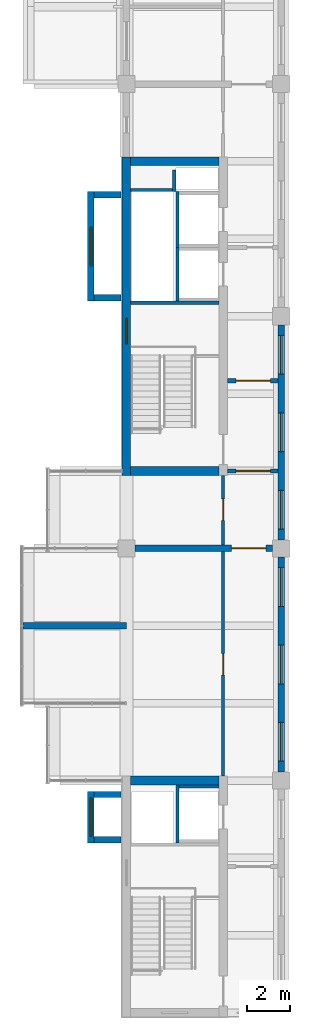
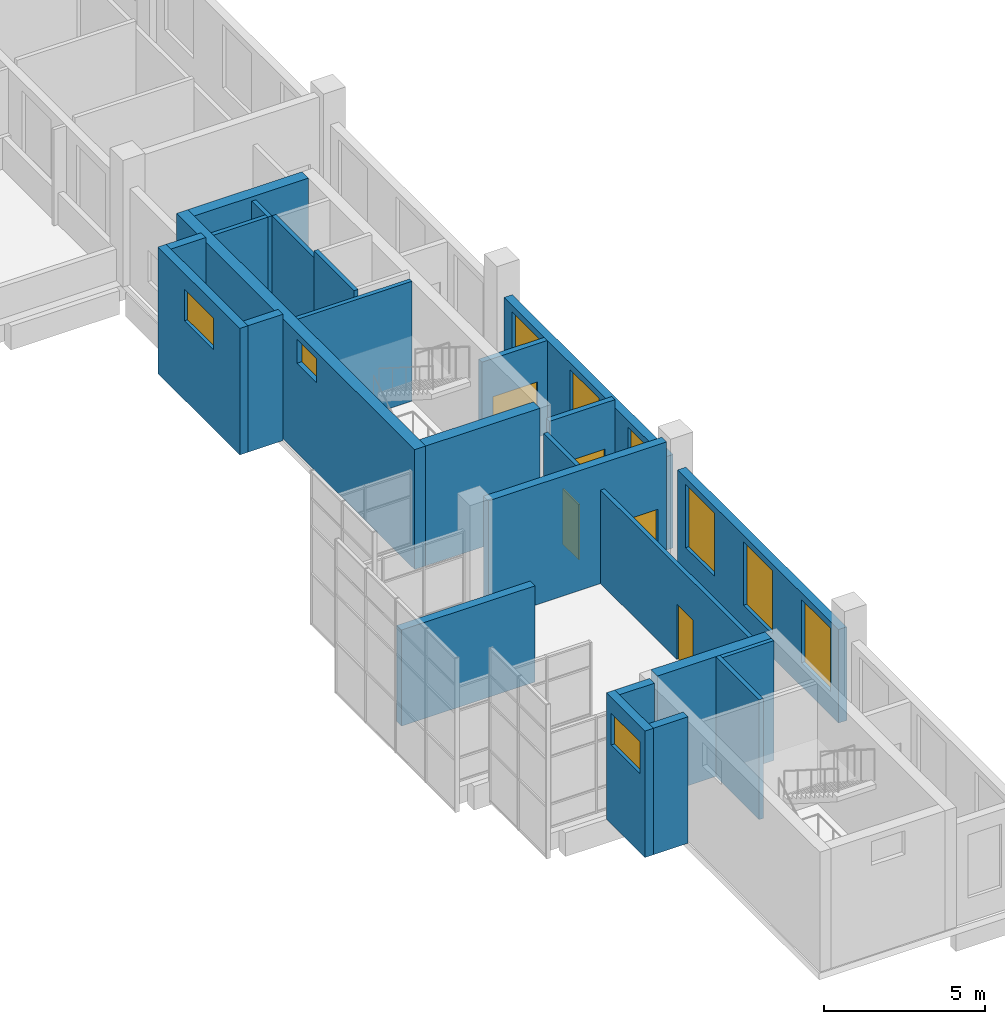
# One storey, part 6 of 9: 25 walls, 9 windows, 5 doors, 14 openings.
"""IFC4 building model written with IfcOpenShell, lengths in metres."""

from ifc_helpers import new_model, si_unit, direction, frame, frame_2d, origin, place, context, subcontext, project, spatial, rectangle, extrude, material, layer, layer_set, type_object, element, fill, save


model = new_model("IFC4")

# Units and contexts
model_context = context("Model", 3, precision=1e-05, world=origin(), true_north=direction((0.0, 1.0)))
body_context = subcontext(model_context, "Body", "Model", "MODEL_VIEW")
ifc_project = project(units=[si_unit("LENGTHUNIT", "METRE"), si_unit("AREAUNIT", "SQUARE_METRE"), si_unit("VOLUMEUNIT", "CUBIC_METRE"), si_unit("PLANEANGLEUNIT", "RADIAN"), si_unit("MASSUNIT", "GRAM", prefix="KILO")], contexts=[model_context])

# Site, building, storey
site_placement = place(None, origin())
site = spatial("IfcSite", under=ifc_project, at=site_placement, CompositionType="ELEMENT")
building_placement = place(site_placement, origin())
building = spatial("IfcBuilding", under=site, at=building_placement, Name="Basin Gate Institute", CompositionType="ELEMENT")
storey_placement = place(building_placement, frame((0.0, 0.0, 70.199951171875)))
storey = spatial("IfcBuildingStorey", under=building, at=storey_placement, Name="L14", CompositionType="ELEMENT", Elevation=70.199951171875)

# Wall
ifc_material_1 = material(Name="Aluminium-faced insulated panel wall", Category="aluminium")
ifc_layer_1 = layer(ifc_material_1, 0.300048828125)
ifc_layer_set_1 = layer_set([ifc_layer_1], Name="Capsule side wall EW6 EI 60")
wall_type_1 = type_object("IfcWallType", Name="Capsule side wall EW6 EI 60", PredefinedType="STANDARD", material=ifc_layer_set_1)
wall_1_placement = place(storey_placement, frame((56.39990234375, 53.10009765625, 0.0), z_axis=(0.0, 0.0, 1.0), x_axis=(1.0, 0.0, 0.0)))
element("IfcWall", 1, at=wall_1_placement, inside=storey, type_object=wall_type_1, material=ifc_layer_set_1, Name="Capsule side wall W wing L14 line 6", PredefinedType="STANDARD", context=body_context, shape_type="SweptSolid", body=[
    extrude(rectangle(XDim=4.800048828125, YDim=0.300048828125, at=frame_2d((2.39990234375, 0.0))), origin(), (0.0, 0.0, 1.0), 3.650146484375),
])

# Wall, opening, door
ifc_material_2 = material(Name="Fire-rated masonry", Category="masonry")
ifc_layer_2 = layer(ifc_material_2, 0.199951171875)
ifc_layer_set_2 = layer_set([ifc_layer_2], Name="Enclosure wall PW2 200 EI 60")
wall_type_2 = type_object("IfcWallType", Name="Enclosure wall PW2 200 EI 60", PredefinedType="PARTITIONING", material=ifc_layer_set_2)
wall_2_placement = place(storey_placement, frame((65.89990234375, 60.300048828125, 0.0), z_axis=(0.0, 0.0, 1.0), x_axis=(1.0, 0.0, 0.0)))
wall_2 = element("IfcWall", 2, at=wall_2_placement, inside=storey, type_object=wall_type_2, material=ifc_layer_set_2, Name="Smoke lobby enclosure wall PW2 L14", PredefinedType="PARTITIONING", context=body_context, shape_type="SweptSolid", body=[
    extrude(rectangle(XDim=2.35009765625, YDim=0.199951171875, at=frame_2d((1.175048828125, 0.0))), origin(), (0.0, 0.0, 1.0), 3.85009765625),
])
opening_1_placement = place(wall_2_placement, frame((0.39990234375, 0.0, 0.0)))
opening_1 = element("IfcOpeningElement", 3, at=opening_1_placement, cuts=wall_2, Name="Opening DR526", PredefinedType="OPENING", context=body_context, shape_type="SweptSolid", body=[
    extrude(rectangle(XDim=1.60009765625, YDim=2.10009765625, at=frame_2d((0.800048828125, 1.050048828125))), frame((0.0, 0.10986328125, 0.0), z_axis=(0.0, -1.0, 0.0), x_axis=(1.0, 0.0, 0.0)), (0.0, 0.0, 1.0), 0.219970703125),
])
ifc_material_3 = material(Name="Steel fire door", Category="steel")
door_type_1 = type_object("IfcDoorType", Name="FD60 Smoke lobby door pair D8", OperationType="DOUBLE_DOOR_SINGLE_SWING", PredefinedType="DOOR", material=ifc_material_3)
door_1_placement = place(opening_1_placement, origin())
door_1 = element("IfcDoor", 4, at=door_1_placement, inside=storey, type_object=door_type_1, material=ifc_material_3, Name="Smoke lobby door SS2 L14", OperationType="DOUBLE_DOOR_SINGLE_SWING", OverallHeight=2.10009765625, OverallWidth=1.60009765625, PredefinedType="DOOR", context=body_context, shape_type="SweptSolid", body=[
    extrude(rectangle(XDim=1.60009765625, YDim=2.10009765625, at=frame_2d((0.800048828125, 1.050048828125))), frame((0.0, 0.02490234375, 0.0), z_axis=(0.0, -1.0, 0.0), x_axis=(1.0, 0.0, 0.0)), (0.0, 0.0, 1.0), 0.050048828125),
])
fill(opening_1, door_1)

wall_3_placement = place(storey_placement, frame((65.89990234375, 64.5, 0.0), z_axis=(0.0, 0.0, 1.0), x_axis=(1.0, 0.0, 0.0)))
wall_3 = element("IfcWall", 5, at=wall_3_placement, inside=storey, type_object=wall_type_2, material=ifc_layer_set_2, Name="Smoke lobby enclosure wall PW2 L14", PredefinedType="PARTITIONING", context=body_context, shape_type="SweptSolid", body=[
    extrude(rectangle(XDim=2.35009765625, YDim=0.199951171875, at=frame_2d((1.175048828125, 0.0))), origin(), (0.0, 0.0, 1.0), 3.550048828125),
])
opening_2_placement = place(wall_3_placement, frame((0.39990234375, 0.0, 0.0)))
opening_2 = element("IfcOpeningElement", 6, at=opening_2_placement, cuts=wall_3, Name="Opening DR527", PredefinedType="OPENING", context=body_context, shape_type="SweptSolid", body=[
    extrude(rectangle(XDim=1.60009765625, YDim=2.10009765625, at=frame_2d((0.800048828125, 1.050048828125))), frame((0.0, 0.10986328125, 0.0), z_axis=(0.0, -1.0, 0.0), x_axis=(1.0, 0.0, 0.0)), (0.0, 0.0, 1.0), 0.219970703125),
])
door_2_placement = place(opening_2_placement, frame((1.60009765625, 0.0, 0.0), z_axis=(0.0, 0.0, 1.0), x_axis=(-1.0, 0.0, 0.0)))
door_2 = element("IfcDoor", 7, at=door_2_placement, inside=storey, type_object=door_type_1, material=ifc_material_3, Name="Smoke lobby door SS2 L14", OperationType="DOUBLE_DOOR_SINGLE_SWING", OverallHeight=2.10009765625, OverallWidth=1.60009765625, PredefinedType="DOOR", context=body_context, shape_type="SweptSolid", body=[
    extrude(rectangle(XDim=1.60009765625, YDim=2.10009765625, at=frame_2d((0.800048828125, 1.050048828125))), frame((0.0, 0.02490234375, 0.0), z_axis=(0.0, -1.0, 0.0), x_axis=(1.0, 0.0, 0.0)), (0.0, 0.0, 1.0), 0.050048828125),
])
fill(opening_2, door_2)

# Wall, openings, windows
ifc_material_4 = material(Name="Aluminium-faced insulated panel wall", Category="aluminium")
ifc_layer_3 = layer(ifc_material_4, 0.300048828125)
ifc_layer_set_3 = layer_set([ifc_layer_3], Name="External wall EW5 EI 60")
wall_type_3 = type_object("IfcWallType", Name="External wall EW5 EI 60", PredefinedType="STANDARD", material=ifc_layer_set_3)
wall_4_placement = place(storey_placement, frame((68.39990234375, 46.300048828125, 0.0), z_axis=(0.0, 0.0, 1.0), x_axis=(0.0, 1.0, 0.0)))
wall_4 = element("IfcWall", 8, at=wall_4_placement, inside=storey, type_object=wall_type_3, material=ifc_layer_set_3, Name="External wall W step face L14 bay 2", PredefinedType="STANDARD", context=body_context, shape_type="SweptSolid", body=[
    extrude(rectangle(XDim=10.0, YDim=0.300048828125, at=frame_2d((5.0, 0.0))), origin(), (0.0, 0.0, 1.0), 3.550048828125),
])
opening_3_placement = place(wall_4_placement, frame((0.5, 0.0, 0.89990234375)))
opening_3 = element("IfcOpeningElement", 9, at=opening_3_placement, cuts=wall_4, Name="Opening WN1", PredefinedType="OPENING", context=body_context, shape_type="SweptSolid", body=[
    extrude(rectangle(XDim=1.800048828125, YDim=2.39990234375, at=frame_2d((0.89990234375, 1.199951171875))), frame((0.0, 0.16015625, 0.0), z_axis=(0.0, -1.0, 0.0), x_axis=(1.0, 0.0, 0.0)), (0.0, 0.0, 1.0), 0.320068359375),
])
opening_4_placement = place(wall_4_placement, frame((4.10009765625, 0.0, 0.89990234375)))
opening_4 = element("IfcOpeningElement", 10, at=opening_4_placement, cuts=wall_4, Name="Opening WV1", PredefinedType="OPENING", context=body_context, shape_type="SweptSolid", body=[
    extrude(rectangle(XDim=1.800048828125, YDim=2.39990234375, at=frame_2d((0.89990234375, 1.199951171875))), frame((0.0, 0.16015625, 0.0), z_axis=(0.0, -1.0, 0.0), x_axis=(1.0, 0.0, 0.0)), (0.0, 0.0, 1.0), 0.320068359375),
])
opening_5_placement = place(wall_4_placement, frame((7.699951171875, 0.0, 0.89990234375)))
opening_5 = element("IfcOpeningElement", 11, at=opening_5_placement, cuts=wall_4, Name="Opening WN1", PredefinedType="OPENING", context=body_context, shape_type="SweptSolid", body=[
    extrude(rectangle(XDim=1.800048828125, YDim=2.39990234375, at=frame_2d((0.89990234375, 1.199951171875))), frame((0.0, 0.16015625, 0.0), z_axis=(0.0, -1.0, 0.0), x_axis=(1.0, 0.0, 0.0)), (0.0, 0.0, 1.0), 0.320068359375),
])
ifc_material_5 = material(Name="Aluminium-framed double glazing", Category="aluminium")
window_type_1 = type_object("IfcWindowType", Name="Facade window WN1", PartitioningType="SINGLE_PANEL", PredefinedType="WINDOW", material=ifc_material_5)
window_1_placement = place(opening_3_placement, origin())
window_1 = element("IfcWindow", 12, at=window_1_placement, inside=storey, type_object=window_type_1, material=ifc_material_5, Name="Facade window W step face L14 bay 2.1", OverallHeight=2.39990234375, OverallWidth=1.800048828125, PartitioningType="SINGLE_PANEL", PredefinedType="WINDOW", context=body_context, shape_type="SweptSolid", body=[
    extrude(rectangle(XDim=1.800048828125, YDim=2.39990234375, at=frame_2d((0.89990234375, 1.199951171875))), frame((0.0, 0.030029296875, 0.0), z_axis=(0.0, -1.0, 0.0), x_axis=(1.0, 0.0, 0.0)), (0.0, 0.0, 1.0), 0.06005859375),
])
fill(opening_3, window_1)
window_2_placement = place(opening_5_placement, origin())
window_2 = element("IfcWindow", 13, at=window_2_placement, inside=storey, type_object=window_type_1, material=ifc_material_5, Name="Facade window W step face L14 bay 2.3", OverallHeight=2.39990234375, OverallWidth=1.800048828125, PartitioningType="SINGLE_PANEL", PredefinedType="WINDOW", context=body_context, shape_type="SweptSolid", body=[
    extrude(rectangle(XDim=1.800048828125, YDim=2.39990234375, at=frame_2d((0.89990234375, 1.199951171875))), frame((0.0, 0.030029296875, 0.0), z_axis=(0.0, -1.0, 0.0), x_axis=(1.0, 0.0, 0.0)), (0.0, 0.0, 1.0), 0.06005859375),
])
fill(opening_5, window_2)
ifc_material_6 = material(Name="Aluminium louvre blades", Category="aluminium")
window_type_2 = type_object("IfcWindowType", Name="Services louvre panel WV1", PartitioningType="SINGLE_PANEL", PredefinedType="WINDOW", material=ifc_material_6)
window_3_placement = place(opening_4_placement, origin())
window_3 = element("IfcWindow", 14, at=window_3_placement, inside=storey, type_object=window_type_2, material=ifc_material_6, Name="Services louvre panel W step face L14 bay 2.2", OverallHeight=2.39990234375, OverallWidth=1.800048828125, PartitioningType="SINGLE_PANEL", PredefinedType="WINDOW", context=body_context, shape_type="SweptSolid", body=[
    extrude(rectangle(XDim=1.800048828125, YDim=2.39990234375, at=frame_2d((0.89990234375, 1.199951171875))), frame((0.0, 0.030029296875, 0.0), z_axis=(0.0, -1.0, 0.0), x_axis=(1.0, 0.0, 0.0)), (0.0, 0.0, 1.0), 0.06005859375),
])
fill(opening_4, window_3)

wall_5_placement = place(storey_placement, frame((68.39990234375, 57.10009765625, 0.0), z_axis=(0.0, 0.0, 1.0), x_axis=(0.0, 1.0, 0.0)))
wall_5 = element("IfcWall", 15, at=wall_5_placement, inside=storey, type_object=wall_type_3, material=ifc_layer_set_3, Name="External wall W step face L14 bay 3", PredefinedType="STANDARD", context=body_context, shape_type="SweptSolid", body=[
    extrude(rectangle(XDim=10.0, YDim=0.300048828125, at=frame_2d((5.0, 0.0))), origin(), (0.0, 0.0, 1.0), 3.550048828125),
])
opening_6_placement = place(wall_5_placement, frame((0.5, 0.0, 0.89990234375)))
opening_6 = element("IfcOpeningElement", 16, at=opening_6_placement, cuts=wall_5, Name="Opening WN6", PredefinedType="OPENING", context=body_context, shape_type="SweptSolid", body=[
    extrude(rectangle(XDim=1.800048828125, YDim=2.39990234375, at=frame_2d((0.89990234375, 1.199951171875))), frame((0.0, 0.16015625, 0.0), z_axis=(0.0, -1.0, 0.0), x_axis=(1.0, 0.0, 0.0)), (0.0, 0.0, 1.0), 0.320068359375),
])
opening_7_placement = place(wall_5_placement, frame((4.10009765625, 0.0, 0.89990234375)))
opening_7 = element("IfcOpeningElement", 17, at=opening_7_placement, cuts=wall_5, Name="Opening WN6", PredefinedType="OPENING", context=body_context, shape_type="SweptSolid", body=[
    extrude(rectangle(XDim=1.800048828125, YDim=2.39990234375, at=frame_2d((0.89990234375, 1.199951171875))), frame((0.0, 0.16015625, 0.0), z_axis=(0.0, -1.0, 0.0), x_axis=(1.0, 0.0, 0.0)), (0.0, 0.0, 1.0), 0.320068359375),
])
opening_8_placement = place(wall_5_placement, frame((7.699951171875, 0.0, 0.89990234375)))
opening_8 = element("IfcOpeningElement", 18, at=opening_8_placement, cuts=wall_5, Name="Opening WN6", PredefinedType="OPENING", context=body_context, shape_type="SweptSolid", body=[
    extrude(rectangle(XDim=1.800048828125, YDim=2.39990234375, at=frame_2d((0.89990234375, 1.199951171875))), frame((0.0, 0.16015625, 0.0), z_axis=(0.0, -1.0, 0.0), x_axis=(1.0, 0.0, 0.0)), (0.0, 0.0, 1.0), 0.320068359375),
])
ifc_material_7 = material(Name="Fire-resistant glazing in steel-free frame", Category="steel")
window_type_3 = type_object("IfcWindowType", Name="Fire-rated fixed step window WN6", PartitioningType="SINGLE_PANEL", PredefinedType="WINDOW", material=ifc_material_7)
window_4_placement = place(opening_6_placement, origin())
window_4 = element("IfcWindow", 19, at=window_4_placement, inside=storey, type_object=window_type_3, material=ifc_material_7, Name="Fire-rated fixed step window W step face L14 bay 3.1", OverallHeight=2.39990234375, OverallWidth=1.800048828125, PartitioningType="SINGLE_PANEL", PredefinedType="WINDOW", context=body_context, shape_type="SweptSolid", body=[
    extrude(rectangle(XDim=1.800048828125, YDim=2.39990234375, at=frame_2d((0.89990234375, 1.199951171875))), frame((0.0, 0.030029296875, 0.0), z_axis=(0.0, -1.0, 0.0), x_axis=(1.0, 0.0, 0.0)), (0.0, 0.0, 1.0), 0.06005859375),
])
fill(opening_6, window_4)
window_5_placement = place(opening_7_placement, origin())
window_5 = element("IfcWindow", 20, at=window_5_placement, inside=storey, type_object=window_type_3, material=ifc_material_7, Name="Fire-rated fixed step window W step face L14 bay 3.2", OverallHeight=2.39990234375, OverallWidth=1.800048828125, PartitioningType="SINGLE_PANEL", PredefinedType="WINDOW", context=body_context, shape_type="SweptSolid", body=[
    extrude(rectangle(XDim=1.800048828125, YDim=2.39990234375, at=frame_2d((0.89990234375, 1.199951171875))), frame((0.0, 0.030029296875, 0.0), z_axis=(0.0, -1.0, 0.0), x_axis=(1.0, 0.0, 0.0)), (0.0, 0.0, 1.0), 0.06005859375),
])
fill(opening_7, window_5)
window_6_placement = place(opening_8_placement, origin())
window_6 = element("IfcWindow", 21, at=window_6_placement, inside=storey, type_object=window_type_3, material=ifc_material_7, Name="Fire-rated fixed step window W step face L14 bay 3.3", OverallHeight=2.39990234375, OverallWidth=1.800048828125, PartitioningType="SINGLE_PANEL", PredefinedType="WINDOW", context=body_context, shape_type="SweptSolid", body=[
    extrude(rectangle(XDim=1.800048828125, YDim=2.39990234375, at=frame_2d((0.89990234375, 1.199951171875))), frame((0.0, 0.030029296875, 0.0), z_axis=(0.0, -1.0, 0.0), x_axis=(1.0, 0.0, 0.0)), (0.0, 0.0, 1.0), 0.06005859375),
])
fill(opening_8, window_6)

# Wall, opening, door
ifc_material_8 = material(Name="Gypsum board on steel stud", Category="steel")
ifc_layer_4 = layer(ifc_material_8, 0.14990234375)
ifc_layer_set_4 = layer_set([ifc_layer_4], Name="Gypsum board on steel stud")
wall_type_4 = type_object("IfcWallType", Name="Partition PW1 150 EI 60", PredefinedType="PARTITIONING", material=ifc_layer_set_4)
wall_6_placement = place(storey_placement, frame((65.699951171875, 46.10009765625, 0.0), z_axis=(0.0, 0.0, 1.0), x_axis=(0.0, 1.0, 0.0)))
wall_6 = element("IfcWall", 22, at=wall_6_placement, inside=storey, type_object=wall_type_4, material=ifc_layer_set_4, Name="Corridor wall PW1 L14", PredefinedType="PARTITIONING", context=body_context, shape_type="SweptSolid", body=[
    extrude(rectangle(XDim=10.449951171875, YDim=0.14990234375, at=frame_2d((5.22509765625, 0.0))), origin(), (0.0, 0.0, 1.0), 3.550048828125),
])
opening_9_placement = place(wall_6_placement, frame((4.699951171875, 0.0, 0.0)))
opening_9 = element("IfcOpeningElement", 23, at=opening_9_placement, cuts=wall_6, Name="Opening DR521", PredefinedType="OPENING", context=body_context, shape_type="SweptSolid", body=[
    extrude(rectangle(XDim=1.0, YDim=2.10009765625, at=frame_2d((0.5, 1.050048828125))), frame((0.0, 0.0849609375, 0.0), z_axis=(0.0, -1.0, 0.0), x_axis=(1.0, 0.0, 0.0)), (0.0, 0.0, 1.0), 0.169921875),
])
ifc_material_9 = material(Name="Timber fire door", Category="wood")
door_type_2 = type_object("IfcDoorType", Name="FD30 Office door D1", OperationType="NOTDEFINED", PredefinedType="DOOR", material=ifc_material_9)
door_3_placement = place(opening_9_placement, origin())
door_3 = element("IfcDoor", 24, at=door_3_placement, inside=storey, type_object=door_type_2, material=ifc_material_9, Name="Door to Library Carrel Room 1401 L14", OperationType="SINGLE_SWING_LEFT", OverallHeight=2.10009765625, OverallWidth=1.0, PredefinedType="DOOR", context=body_context, shape_type="SweptSolid", body=[
    extrude(rectangle(XDim=1.0, YDim=2.10009765625, at=frame_2d((0.5, 1.050048828125))), frame((0.0, 0.02490234375, 0.0), z_axis=(0.0, -1.0, 0.0), x_axis=(1.0, 0.0, 0.0)), (0.0, 0.0, 1.0), 0.050048828125),
])
fill(opening_9, door_3)

wall_7_placement = place(storey_placement, frame((65.699951171875, 56.85009765625, 0.0), z_axis=(0.0, 0.0, 1.0), x_axis=(0.0, 1.0, 0.0)))
wall_7 = element("IfcWall", 25, at=wall_7_placement, inside=storey, type_object=wall_type_4, material=ifc_layer_set_4, Name="Corridor wall PW1 L14", PredefinedType="PARTITIONING", context=body_context, shape_type="SweptSolid", body=[
    extrude(rectangle(XDim=3.25, YDim=0.14990234375, at=frame_2d((1.625, 0.0))), origin(), (0.0, 0.0, 1.0), 3.550048828125),
])
opening_10_placement = place(wall_7_placement, frame((1.14990234375, 0.0, 0.0)))
opening_10 = element("IfcOpeningElement", 26, at=opening_10_placement, cuts=wall_7, Name="Opening DR523", PredefinedType="OPENING", context=body_context, shape_type="SweptSolid", body=[
    extrude(rectangle(XDim=1.0, YDim=2.10009765625, at=frame_2d((0.5, 1.050048828125))), frame((0.0, 0.0849609375, 0.0), z_axis=(0.0, -1.0, 0.0), x_axis=(1.0, 0.0, 0.0)), (0.0, 0.0, 1.0), 0.169921875),
])
door_4_placement = place(opening_10_placement, origin())
door_4 = element("IfcDoor", 27, at=door_4_placement, inside=storey, type_object=door_type_2, material=ifc_material_9, Name="Door to Meeting Room 1402 L14", OperationType="SINGLE_SWING_RIGHT", OverallHeight=2.10009765625, OverallWidth=1.0, PredefinedType="DOOR", context=body_context, shape_type="SweptSolid", body=[
    extrude(rectangle(XDim=1.0, YDim=2.10009765625, at=frame_2d((0.5, 1.050048828125))), frame((0.0, 0.02490234375, 0.0), z_axis=(0.0, -1.0, 0.0), x_axis=(1.0, 0.0, 0.0)), (0.0, 0.0, 1.0), 0.050048828125),
])
fill(opening_10, door_4)

# Walls
ifc_material_10 = material(Name="Concrete 40 MPa", Category="concrete")
ifc_layer_5 = layer(ifc_material_10, 0.14990234375)
ifc_layer_set_5 = layer_set([ifc_layer_5], Name="Concrete 40 MPa")
wall_type_5 = type_object("IfcWallType", Name="Wall LS1 lift shaft enclosure R60", PredefinedType="SOLIDWALL", material=ifc_layer_set_5)
wall_8_placement = place(storey_placement, frame((63.574951171875, 43.0, 0.0), z_axis=(0.0, 0.0, 1.0), x_axis=(0.0, 1.0, 0.0)))
element("IfcWall", 28, at=wall_8_placement, inside=storey, type_object=wall_type_5, material=ifc_layer_set_5, Name="Lift shaft enclosure LP1 L14 UL", PredefinedType="SOLIDWALL", context=body_context, shape_type="SweptSolid", body=[
    extrude(rectangle(XDim=2.699951171875, YDim=0.14990234375, at=frame_2d((1.35009765625, 0.0))), origin(), (0.0, 0.0, 1.0), 4.550048828125),
])
wall_9_placement = place(storey_placement, frame((63.64990234375, 45.625, 0.0), z_axis=(0.0, 0.0, 1.0), x_axis=(1.0, 0.0, 0.0)))
element("IfcWall", 29, at=wall_9_placement, inside=storey, type_object=wall_type_5, material=ifc_layer_set_5, Name="Lift shaft enclosure LP1 L14 RH", PredefinedType="SOLIDWALL", context=body_context, shape_type="SweptSolid", body=[
    extrude(rectangle(XDim=1.85009765625, YDim=0.14990234375, at=frame_2d((0.925048828125, 0.0))), origin(), (0.0, 0.0, 1.0), 4.550048828125),
])
wall_10_placement = place(storey_placement, frame((63.574951171875, 68.199951171875, 0.0), z_axis=(0.0, 0.0, 1.0), x_axis=(0.0, 1.0, 0.0)))
element("IfcWall", 30, at=wall_10_placement, inside=storey, type_object=wall_type_5, material=ifc_layer_set_5, Name="Lift shaft enclosure LF1 L14 UL", PredefinedType="SOLIDWALL", context=body_context, shape_type="SweptSolid", body=[
    extrude(rectangle(XDim=2.5, YDim=0.14990234375, at=frame_2d((1.25, 0.0))), origin(), (0.0, 0.0, 1.0), 4.800048828125),
])
wall_11_placement = place(storey_placement, frame((63.574951171875, 70.699951171875, 0.0), z_axis=(0.0, 0.0, 1.0), x_axis=(0.0, 1.0, 0.0)))
element("IfcWall", 31, at=wall_11_placement, inside=storey, type_object=wall_type_5, material=ifc_layer_set_5, Name="Lift shaft enclosure LP2 L14 UL", PredefinedType="SOLIDWALL", context=body_context, shape_type="SweptSolid", body=[
    extrude(rectangle(XDim=2.60009765625, YDim=0.14990234375, at=frame_2d((1.300048828125, 0.0))), origin(), (0.0, 0.0, 1.0), 4.550048828125),
])
ifc_material_11 = material(Name="Concrete 40 MPa", Category="concrete")
ifc_layer_6 = layer(ifc_material_11, 0.14990234375)
ifc_layer_set_6 = layer_set([ifc_layer_6], Name="Concrete 40 MPa")
wall_type_6 = type_object("IfcWallType", Name="Wall RS1 riser shaft enclosure R60", PredefinedType="SOLIDWALL", material=ifc_layer_set_6)
wall_12_placement = place(storey_placement, frame((61.39990234375, 73.375, 0.0), z_axis=(0.0, 0.0, 1.0), x_axis=(1.0, 0.0, 0.0)))
element("IfcWall", 32, at=wall_12_placement, inside=storey, type_object=wall_type_6, material=ifc_layer_set_6, Name="Riser shaft enclosure WM L14 N", PredefinedType="SOLIDWALL", context=body_context, shape_type="SweptSolid", body=[
    extrude(rectangle(XDim=1.9501953125, YDim=0.14990234375, at=frame_2d((0.97509765625, 0.0))), origin(), (0.0, 0.0, 1.0), 4.550048828125),
])
wall_13_placement = place(storey_placement, frame((63.425048828125, 73.300048828125, 0.0), z_axis=(0.0, 0.0, 1.0), x_axis=(0.0, 1.0, 0.0)))
element("IfcWall", 33, at=wall_13_placement, inside=storey, type_object=wall_type_6, material=ifc_layer_set_6, Name="Riser shaft enclosure WM L14 W", PredefinedType="SOLIDWALL", context=body_context, shape_type="SweptSolid", body=[
    extrude(rectangle(XDim=1.0, YDim=0.14990234375, at=frame_2d((0.5, 0.0))), origin(), (0.0, 0.0, 1.0), 4.550048828125),
])
ifc_material_12 = material(Name="Concrete 40 MPa", Category="concrete")
ifc_layer_7 = layer(ifc_material_12, 0.14990234375)
ifc_layer_set_7 = layer_set([ifc_layer_7], Name="Concrete 40 MPa")
wall_type_7 = type_object("IfcWallType", Name="Wall SE1 stair enclosure R60", PredefinedType="SOLIDWALL", material=ifc_layer_set_7)
wall_14_placement = place(storey_placement, frame((61.39990234375, 68.125, 0.0), z_axis=(0.0, 0.0, 1.0), x_axis=(1.0, 0.0, 0.0)))
element("IfcWall", 34, at=wall_14_placement, inside=storey, type_object=wall_type_7, material=ifc_layer_set_7, Name="Stair enclosure wall ST-WM L14", PredefinedType="SOLIDWALL", context=body_context, shape_type="SweptSolid", body=[
    extrude(rectangle(XDim=4.10009765625, YDim=0.14990234375, at=frame_2d((2.050048828125, 0.0))), origin(), (0.0, 0.0, 1.0), 4.550048828125),
])

# Wall, opening, window
ifc_material_13 = material(Name="Concrete 50 MPa", Category="concrete")
ifc_layer_8 = layer(ifc_material_13, 0.300048828125)
ifc_layer_set_8 = layer_set([ifc_layer_8], Name="Concrete 50 MPa")
wall_type_8 = type_object("IfcWallType", Name="Wall SK1 R60", PredefinedType="SHEAR", material=ifc_layer_set_8)
wall_15_placement = place(storey_placement, frame((59.550048828125, 43.0, 0.0), z_axis=(0.0, 0.0, 1.0), x_axis=(0.0, 1.0, 0.0)))
wall_15 = element("IfcWall", 35, at=wall_15_placement, inside=storey, type_object=wall_type_8, material=ifc_layer_set_8, Name="Spine riser stack wall SK1 WS F L14", PredefinedType="SHEAR", context=body_context, shape_type="SweptSolid", body=[
    extrude(rectangle(XDim=2.39990234375, YDim=0.300048828125, at=frame_2d((1.199951171875, 0.0))), origin(), (0.0, 0.0, 1.0), 4.800048828125),
])
opening_11_placement = place(wall_15_placement, frame((0.300048828125, 0.0, 3.0)))
opening_11 = element("IfcOpeningElement", 36, at=opening_11_placement, cuts=wall_15, Name="Opening WL3", PredefinedType="OPENING", context=body_context, shape_type="SweptSolid", body=[
    extrude(rectangle(XDim=1.800048828125, YDim=1.199951171875, at=frame_2d((0.89990234375, 0.60009765625))), frame((0.0, 0.16015625, 0.0), z_axis=(0.0, -1.0, 0.0), x_axis=(1.0, 0.0, 0.0)), (0.0, 0.0, 1.0), 0.320068359375),
])
ifc_material_14 = material(Name="Aluminium louvre blades with fire damper", Category="aluminium")
window_type_4 = type_object("IfcWindowType", Name="Riser louvre EI 60 WL3", PartitioningType="SINGLE_PANEL", PredefinedType="WINDOW", material=ifc_material_14)
window_7_placement = place(opening_11_placement, origin())
window_7 = element("IfcWindow", 37, at=window_7_placement, inside=storey, type_object=window_type_4, material=ifc_material_14, Name="Riser louvre EI 60 WS riser 1 L14", OverallHeight=1.199951171875, OverallWidth=1.800048828125, PartitioningType="SINGLE_PANEL", PredefinedType="WINDOW", context=body_context, shape_type="SweptSolid", body=[
    extrude(rectangle(XDim=1.800048828125, YDim=1.199951171875, at=frame_2d((0.89990234375, 0.60009765625))), frame((0.0, 0.030029296875, 0.0), z_axis=(0.0, -1.0, 0.0), x_axis=(1.0, 0.0, 0.0)), (0.0, 0.0, 1.0), 0.06005859375),
])
fill(opening_11, window_7)

# Walls
for number, where, z_axis, x_axis, name in (
    (38, (60.949951171875, 43.14990234375, 0.0), (0.0, 0.0, 1.0), (-1.0, 0.0, 0.0), "Spine riser stack wall SK1 WS A L14"),
    (39, (60.949951171875, 45.25, 0.0), (0.0, 0.0, 1.0), (-1.0, 0.0, 0.0), "Spine riser stack wall SK1 WS B L14"),
):
    element("IfcWall", number, at=place(storey_placement, frame(where, z_axis=z_axis, x_axis=x_axis)), inside=storey, type_object=wall_type_8, material=ifc_layer_set_8, Name=name, PredefinedType="SHEAR", context=body_context, shape_type="SweptSolid", body=[
        extrude(rectangle(XDim=1.25, YDim=0.300048828125, at=frame_2d((0.625, 0.0))), origin(), (0.0, 0.0, 1.0), 4.800048828125),
    ])

# Wall, opening, window
wall_16_placement = place(storey_placement, frame((59.550048828125, 68.199951171875, 0.0), z_axis=(0.0, 0.0, 1.0), x_axis=(0.0, 1.0, 0.0)))
wall_16 = element("IfcWall", 40, at=wall_16_placement, inside=storey, type_object=wall_type_8, material=ifc_layer_set_8, Name="Spine riser stack wall SK1 WM F L14", PredefinedType="SHEAR", context=body_context, shape_type="SweptSolid", body=[
    extrude(rectangle(XDim=5.10009765625, YDim=0.300048828125, at=frame_2d((2.550048828125, 0.0))), origin(), (0.0, 0.0, 1.0), 4.800048828125),
])
opening_12_placement = place(wall_16_placement, frame((1.64990234375, 0.0, 3.0)))
opening_12 = element("IfcOpeningElement", 41, at=opening_12_placement, cuts=wall_16, Name="Opening WL3", PredefinedType="OPENING", context=body_context, shape_type="SweptSolid", body=[
    extrude(rectangle(XDim=1.800048828125, YDim=1.199951171875, at=frame_2d((0.89990234375, 0.60009765625))), frame((0.0, 0.16015625, 0.0), z_axis=(0.0, -1.0, 0.0), x_axis=(1.0, 0.0, 0.0)), (0.0, 0.0, 1.0), 0.320068359375),
])
window_8_placement = place(opening_12_placement, origin())
window_8 = element("IfcWindow", 42, at=window_8_placement, inside=storey, type_object=window_type_4, material=ifc_material_14, Name="Riser louvre EI 60 WM riser 1 L14", OverallHeight=1.199951171875, OverallWidth=1.800048828125, PartitioningType="SINGLE_PANEL", PredefinedType="WINDOW", context=body_context, shape_type="SweptSolid", body=[
    extrude(rectangle(XDim=1.800048828125, YDim=1.199951171875, at=frame_2d((0.89990234375, 0.60009765625))), frame((0.0, 0.030029296875, 0.0), z_axis=(0.0, -1.0, 0.0), x_axis=(1.0, 0.0, 0.0)), (0.0, 0.0, 1.0), 0.06005859375),
])
fill(opening_12, window_8)

# Walls
for number, where, z_axis, x_axis, name in (
    (43, (60.949951171875, 68.35009765625, 0.0), (0.0, 0.0, 1.0), (-1.0, 0.0, 0.0), "Spine riser stack wall SK1 WM A L14"),
    (44, (60.949951171875, 73.14990234375, 0.0), (0.0, 0.0, 1.0), (-1.0, 0.0, 0.0), "Spine riser stack wall SK1 WM B L14"),
):
    element("IfcWall", number, at=place(storey_placement, frame(where, z_axis=z_axis, x_axis=x_axis)), inside=storey, type_object=wall_type_8, material=ifc_layer_set_8, Name=name, PredefinedType="SHEAR", context=body_context, shape_type="SweptSolid", body=[
        extrude(rectangle(XDim=1.25, YDim=0.300048828125, at=frame_2d((0.625, 0.0))), origin(), (0.0, 0.0, 1.0), 4.800048828125),
    ])
ifc_material_15 = material(Name="Concrete 50 MPa", Category="concrete")
ifc_layer_9 = layer(ifc_material_15, 0.39990234375)
ifc_layer_set_9 = layer_set([ifc_layer_9], Name="Concrete 50 MPa")
wall_type_9 = type_object("IfcWallType", Name="Wall SW2 R60", PredefinedType="SHEAR", material=ifc_layer_set_9)
wall_17_placement = place(storey_placement, frame((61.39990234375, 45.89990234375, 0.0), z_axis=(0.0, 0.0, 1.0), x_axis=(1.0, 0.0, 0.0)))
element("IfcWall", 45, at=wall_17_placement, inside=storey, type_object=wall_type_9, material=ifc_layer_set_9, Name="WALL/L14/WS/N", PredefinedType="SHEAR", context=body_context, shape_type="SweptSolid", body=[
    extrude(rectangle(XDim=4.10009765625, YDim=0.39990234375, at=frame_2d((2.050048828125, 0.0))), origin(), (0.0, 0.0, 1.0), 4.550048828125),
])

# Wall, opening, window
wall_18_placement = place(storey_placement, frame((61.199951171875, 60.10009765625, 0.0), z_axis=(0.0, 0.0, 1.0), x_axis=(0.0, 1.0, 0.0)))
wall_18 = element("IfcWall", 46, at=wall_18_placement, inside=storey, type_object=wall_type_9, material=ifc_layer_set_9, Name="WALL/L14/WM/L", PredefinedType="SHEAR", context=body_context, shape_type="SweptSolid", body=[
    extrude(rectangle(XDim=14.7998046875, YDim=0.39990234375, at=frame_2d((7.39990234375, 0.0))), origin(), (0.0, 0.0, 1.0), 4.550048828125),
])
opening_13_placement = place(wall_18_placement, frame((6.110107421875, 0.0, 3.39990234375)))
opening_13 = element("IfcOpeningElement", 47, at=opening_13_placement, cuts=wall_18, Name="Opening WT3", PredefinedType="OPENING", context=body_context, shape_type="SweptSolid", body=[
    extrude(rectangle(XDim=1.199951171875, YDim=0.89990234375, at=frame_2d((0.60009765625, 0.449951171875))), frame((0.0, 0.2099609375, 0.0), z_axis=(0.0, -1.0, 0.0), x_axis=(1.0, 0.0, 0.0)), (0.0, 0.0, 1.0), 0.419921875),
])
ifc_material_16 = material(Name="Fire-resistant glazing in steel-free frame", Category="steel")
window_type_5 = type_object("IfcWindowType", Name="Rated stair window EI 60 WT3", PartitioningType="SINGLE_PANEL", PredefinedType="WINDOW", material=ifc_material_16)
window_9_placement = place(opening_13_placement, origin())
window_9 = element("IfcWindow", 48, at=window_9_placement, inside=storey, type_object=window_type_5, material=ifc_material_16, Name="Rated stair window EI 60 WM landing L14", OverallHeight=0.89990234375, OverallWidth=1.199951171875, PartitioningType="SINGLE_PANEL", PredefinedType="WINDOW", context=body_context, shape_type="SweptSolid", body=[
    extrude(rectangle(XDim=1.199951171875, YDim=0.89990234375, at=frame_2d((0.60009765625, 0.449951171875))), frame((0.0, 0.030029296875, 0.0), z_axis=(0.0, -1.0, 0.0), x_axis=(1.0, 0.0, 0.0)), (0.0, 0.0, 1.0), 0.06005859375),
])
fill(opening_13, window_9)

# Walls
for number, where, z_axis, x_axis, name in (
    (49, (61.39990234375, 60.300048828125, 0.0), (0.0, 0.0, 1.0), (1.0, 0.0, 0.0), "WALL/L14/WM/S"),
    (50, (61.39990234375, 74.699951171875, 0.0), (0.0, 0.0, 1.0), (1.0, 0.0, 0.0), "WALL/L14/WM/N"),
):
    element("IfcWall", number, at=place(storey_placement, frame(where, z_axis=z_axis, x_axis=x_axis)), inside=storey, type_object=wall_type_9, material=ifc_layer_set_9, Name=name, PredefinedType="SHEAR", context=body_context, shape_type="SweptSolid", body=[
        extrude(rectangle(XDim=4.10009765625, YDim=0.39990234375, at=frame_2d((2.050048828125, 0.0))), origin(), (0.0, 0.0, 1.0), 4.550048828125),
    ])

# Wall, opening, door
ifc_material_17 = material(Name="Concrete 50 MPa", Category="concrete")
ifc_layer_10 = layer(ifc_material_17, 0.300048828125)
ifc_layer_set_10 = layer_set([ifc_layer_10], Name="Concrete 50 MPa")
wall_type_10 = type_object("IfcWallType", Name="Wall XW1 R60", PredefinedType="SHEAR", material=ifc_layer_set_10)
wall_19_placement = place(storey_placement, frame((61.60009765625, 56.699951171875, 0.0), z_axis=(0.0, 0.0, 1.0), x_axis=(1.0, 0.0, 0.0)))
wall_19 = element("IfcWall", 51, at=wall_19_placement, inside=storey, type_object=wall_type_10, material=ifc_layer_set_10, Name="WALL/L14/WXC/1", PredefinedType="SHEAR", context=body_context, shape_type="SweptSolid", body=[
    extrude(rectangle(XDim=6.39990234375, YDim=0.300048828125, at=frame_2d((3.199951171875, 0.0))), origin(), (0.0, 0.0, 1.0), 4.550048828125),
])
opening_14_placement = place(wall_19_placement, frame((4.487548828125, 0.0, 0.0)))
opening_14 = element("IfcOpeningElement", 52, at=opening_14_placement, cuts=wall_19, Name="Opening DR529", PredefinedType="OPENING", context=body_context, shape_type="SweptSolid", body=[
    extrude(rectangle(XDim=1.60009765625, YDim=2.10009765625, at=frame_2d((0.800048828125, 1.050048828125))), frame((0.0, 0.16015625, 0.0), z_axis=(0.0, -1.0, 0.0), x_axis=(1.0, 0.0, 0.0)), (0.0, 0.0, 1.0), 0.320068359375),
])
ifc_material_18 = material(Name="Steel fire door", Category="steel")
door_type_3 = type_object("IfcDoorType", Name="FD60 Compartment door pair D7", OperationType="DOUBLE_DOOR_SINGLE_SWING", PredefinedType="DOOR", material=ifc_material_18)
door_5_placement = place(opening_14_placement, origin())
door_5 = element("IfcDoor", 53, at=door_5_placement, inside=storey, type_object=door_type_3, material=ifc_material_18, Name="Compartment door pair L14 W1 L14", OperationType="DOUBLE_DOOR_SINGLE_SWING", OverallHeight=2.10009765625, OverallWidth=1.60009765625, PredefinedType="DOOR", context=body_context, shape_type="SweptSolid", body=[
    extrude(rectangle(XDim=1.60009765625, YDim=2.10009765625, at=frame_2d((0.800048828125, 1.050048828125))), frame((0.0, 0.02490234375, 0.0), z_axis=(0.0, -1.0, 0.0), x_axis=(1.0, 0.0, 0.0)), (0.0, 0.0, 1.0), 0.050048828125),
])
fill(opening_14, door_5)

save(model, "model.ifc")
